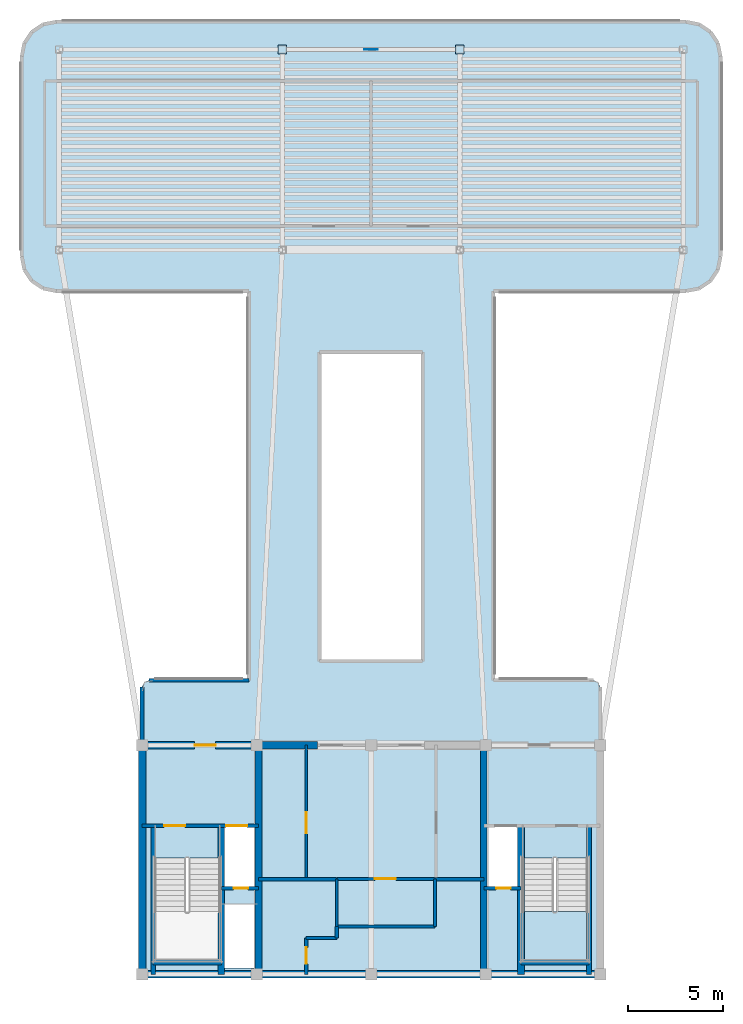
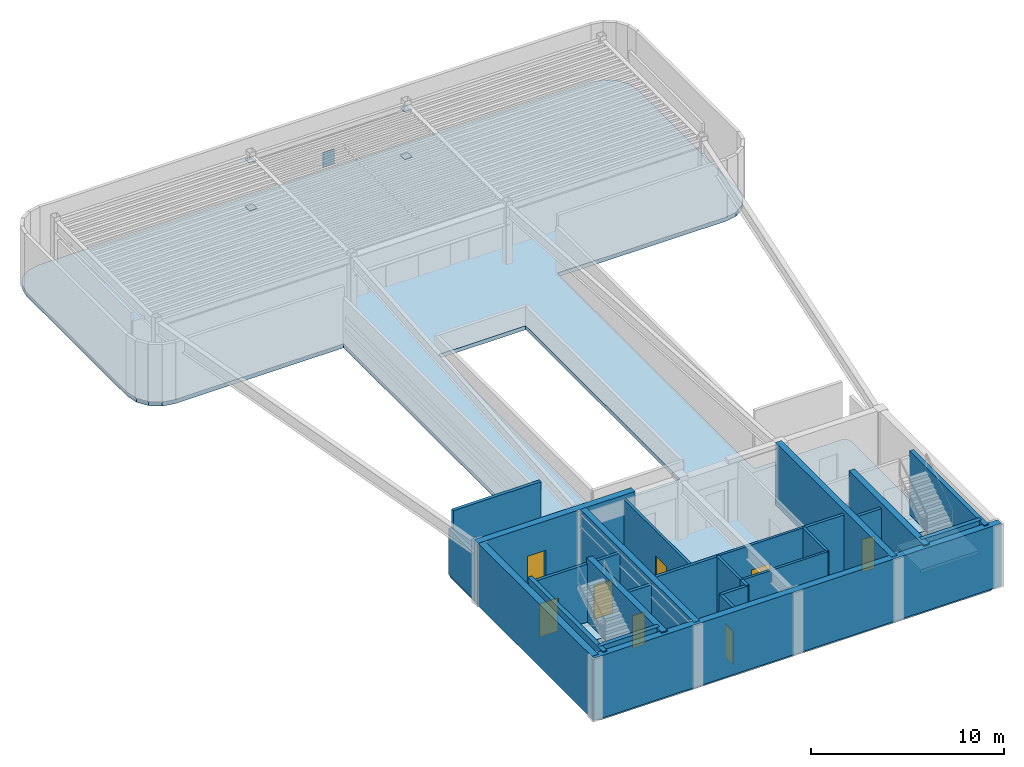
# One storey, part 2 of 6: 26 walls, 8 doors, 5 plates, 2 slabs, 8 openings, 1 element without a shape of its own.
"""IFC4 building model written with IfcOpenShell, lengths in metres."""

from ifc_helpers import new_model, si_unit, direction, frame, frame_2d, origin, origin_2d, place, context, subcontext, project, spatial, polyline, rectangle, outline, extrude, source, transform, mapped, material, layer, layer_set, type_object, element, fill, aggregate, save


model = new_model("IFC4")

# Units and contexts
model_context = context("Model", 3, precision=1e-05, world=origin(), true_north=direction((0.0, 1.0)))
body_context = subcontext(model_context, "Body", "Model", "MODEL_VIEW")
ifc_project = project(units=[si_unit("LENGTHUNIT", "METRE"), si_unit("AREAUNIT", "SQUARE_METRE"), si_unit("VOLUMEUNIT", "CUBIC_METRE"), si_unit("PLANEANGLEUNIT", "RADIAN"), si_unit("MASSUNIT", "GRAM", prefix="KILO")], contexts=[model_context])

# Site, building, storey
site_placement = place(None, origin())
site = spatial("IfcSite", under=ifc_project, at=site_placement, CompositionType="ELEMENT")
building_placement = place(site_placement, origin())
building = spatial("IfcBuilding", under=site, at=building_placement, Name="Brelvock Crest Care Tower", CompositionType="ELEMENT")
storey_placement = place(building_placement, frame((0.0, 0.0, 295.919921875)))
storey = spatial("IfcBuildingStorey", under=building, at=storey_placement, Name="L75", CompositionType="ELEMENT", Elevation=295.919921875)

# Slab
ifc_material_1 = material(Name="Concrete N50 (50 MPa)", Category="concrete")
ifc_layer_1 = layer(ifc_material_1, 0.25, Name="SLB-FL3")
ifc_layer_set_1 = layer_set([ifc_layer_1], Name="Concrete N50 (50 MPa)")
slab_type_1 = type_object("IfcSlabType", Name="SLB-FL3", PredefinedType="FLOOR", material=ifc_layer_set_1)
slab_1_placement = place(storey_placement, frame((0.0, 0.0, -0.25)))
element("IfcSlab", 1, at=slab_1_placement, inside=storey, type_object=slab_type_1, Name="L75 Main Structural Slab", PredefinedType="FLOOR", context=body_context, shape_type="SweptSolid", body=[
    extrude(outline(polyline([(42.39990234375, 21.39990234375), (42.39990234375, 41.800048828125), (52.5, 41.800048828125), (53.188720703125, 41.93701171875), (53.772705078125, 42.3271484375), (54.1630859375, 42.9111328125), (54.300048828125, 43.60009765625), (54.300048828125, 54.10009765625), (54.1630859375, 54.788818359375), (53.772705078125, 55.372802734375), (53.188720703125, 55.762939453125), (52.5, 55.89990234375), (19.5, 55.89990234375), (18.811279296875, 55.762939453125), (18.227294921875, 55.372802734375), (17.8369140625, 54.788818359375), (17.699951171875, 54.10009765625), (17.699951171875, 43.60009765625), (17.8369140625, 42.9111328125), (18.227294921875, 42.3271484375), (18.811279296875, 41.93701171875), (19.5, 41.800048828125), (29.60009765625, 41.800048828125), (29.60009765625, 21.39990234375), (24.35009765625, 21.39990234375), (24.1025390625, 21.297607421875), (24.0, 21.050048828125), (24.0, 6.35009765625), (24.1025390625, 6.1025390625), (24.35009765625, 6.0), (47.64990234375, 6.0), (47.8974609375, 6.1025390625), (48.0, 6.35009765625), (48.0, 21.050048828125), (47.8974609375, 21.297607421875), (47.64990234375, 21.39990234375), (42.39990234375, 21.39990234375)]), holes=[polyline([(28.239990234375, 10.580078125), (29.97998046875, 10.580078125), (29.97998046875, 13.739990234375), (28.239990234375, 13.739990234375), (28.239990234375, 10.580078125)]), polyline([(42.02001953125, 10.580078125), (43.760009765625, 10.580078125), (43.760009765625, 13.739990234375), (42.02001953125, 13.739990234375), (42.02001953125, 10.580078125)]), polyline([(28.239990234375, 6.340087890625), (29.97998046875, 6.340087890625), (29.97998046875, 9.64990234375), (28.239990234375, 9.64990234375), (28.239990234375, 6.340087890625)]), polyline([(24.6298828125, 12.080078125), (24.6298828125, 6.699951171875), (28.110107421875, 6.699951171875), (28.110107421875, 12.080078125), (24.6298828125, 12.080078125)]), polyline([(43.889892578125, 12.080078125), (43.889892578125, 6.699951171875), (47.3701171875, 6.699951171875), (47.3701171875, 12.080078125), (43.889892578125, 12.080078125)]), polyline([(33.39990234375, 22.5), (38.60009765625, 22.5), (38.60009765625, 38.5), (33.39990234375, 38.5), (33.39990234375, 22.5)])]), origin(), (0.0, 0.0, 1.0), 0.25),
])

# Stair, slab
ifc_material_2 = material(Name="Concrete N40 (40 MPa)", Category="concrete")
stair_type = type_object("IfcStairType", Name="ST-CORE1", PredefinedType="HALF_TURN_STAIR", material=ifc_material_2)
stair_placement = place(storey_placement, origin())
stair = element("IfcStair", 2, at=stair_placement, inside=storey, type_object=stair_type, Name="L75 Fire-Isolated Core Stair ST-2", PredefinedType="HALF_TURN_STAIR")
ifc_layer_2 = layer(ifc_material_2, 0.199951171875, Name="STL-1")
ifc_layer_set_2 = layer_set([ifc_layer_2], Name="Concrete N40 (40 MPa)")
slab_type_2 = type_object("IfcSlabType", Name="STL-1", PredefinedType="LANDING", material=ifc_layer_set_2)
slab_2_placement = place(storey_placement, frame((0.0, 0.0, 1.780029296875)))
slab_2 = element("IfcSlab", 3, at=slab_2_placement, type_object=slab_type_2, Name="ST-2 landing 1", PredefinedType="LANDING", context=body_context, shape_type="SweptSolid", body=[
    extrude(outline(polyline([(43.889892578125, 9.280029296875), (43.889892578125, 6.699951171875), (47.3701171875, 6.699951171875), (47.3701171875, 9.280029296875), (43.889892578125, 9.280029296875)])), origin(), (0.0, 0.0, 1.0), 0.199951171875),
])
aggregate(stair, [slab_2])

# Plates
ifc_material_3 = material(Name="Steel Grade 350", Category="steel")
plate_type_1 = type_object("IfcPlateType", Name="PLT-EC3", PredefinedType="USERDEFINED", material=ifc_material_3)
shared_shape_1 = source(origin(), body_context, "Body", "SweptSolid", [
    extrude(rectangle(XDim=0.449951171875, YDim=0.449951171875, at=origin_2d()), origin(), (0.0, 0.0, 1.0), 0.02490234375),
])
for number, where, z_axis, x_axis, name in (
    (4, (31.35009765625, 54.449951171875, 0.337646484375), (0.0, 0.0, 1.0), (1.0, 0.0, 0.0), "PLT-WPC1-L75"),
    (5, (40.64990234375, 54.449951171875, 0.337646484375), (0.0, 0.0, 1.0), (1.0, 0.0, 0.0), "PLT-WPC2-L75"),
    (6, (40.64990234375, 54.449951171875, 3.34765625), (0.0, 0.0, 1.0), (1.0, 0.0, 0.0), "PLT-WPC3-L75"),
    (7, (31.35009765625, 54.449951171875, 3.34765625), (0.0, 0.0, 1.0), (1.0, 0.0, 0.0), "PLT-WPC4-L75"),
):
    element("IfcPlate", number, at=place(storey_placement, frame(where, z_axis=z_axis, x_axis=x_axis)), inside=storey, type_object=plate_type_1, Name=name, ObjectType="FLANGE_PLATE", PredefinedType="USERDEFINED", context=body_context, shape_type="MappedRepresentation", body=[
        mapped(shared_shape_1, transform((0.0, 0.0, 0.0), x_axis=(1.0, 0.0, 0.0), y_axis=(0.0, 1.0, 0.0), z_axis=(0.0, 0.0, 1.0), scale=1.0)),
    ])
plate_type_2 = type_object("IfcPlateType", Name="PLT-WPN1", PredefinedType="USERDEFINED", material=ifc_material_3)
shared_shape_2 = source(origin(), body_context, "Body", "SweptSolid", [
    extrude(rectangle(XDim=0.699951171875, YDim=0.031982421875, at=origin_2d()), origin(), (0.0, 0.0, 1.0), 0.949951171875),
])
plate_placement = place(storey_placement, frame((36.0, 54.449951171875, 1.3798828125), z_axis=(0.0, 0.0, 1.0), x_axis=(1.0, 0.0, 0.0)))
element("IfcPlate", 8, at=plate_placement, inside=storey, type_object=plate_type_2, Name="PLT-WPN-L75", ObjectType="GUSSET", PredefinedType="USERDEFINED", context=body_context, shape_type="MappedRepresentation", body=[
    mapped(shared_shape_2, transform((0.0, 0.0, 0.0), x_axis=(1.0, 0.0, 0.0), y_axis=(0.0, 1.0, 0.0), z_axis=(0.0, 0.0, 1.0), scale=1.0)),
])

# Walls
ifc_material_4 = material(Name="Concrete S65 (65 MPa)", Category="concrete")
ifc_layer_3 = layer(ifc_material_4, 0.39990234375, Name="WL-CS4")
ifc_layer_set_3 = layer_set([ifc_layer_3], Name="Concrete S65 (65 MPa)")
wall_type_1 = type_object("IfcWallType", Name="WL-CS4", PredefinedType="SHEAR", material=ifc_layer_set_3)
wall_1_placement = place(storey_placement, frame((48.199951171875, 6.0, 0.0), z_axis=(0.0, 0.0, 1.0), x_axis=(-1.0, 0.0, 0.0)))
element("IfcWall", 9, at=wall_1_placement, inside=storey, type_object=wall_type_1, Name="L75 Core South Shear Wall", PredefinedType="SHEAR", context=body_context, shape_type="SweptSolid", body=[
    extrude(rectangle(XDim=24.39990234375, YDim=0.39990234375, at=frame_2d((12.199951171875, 0.0))), origin(), (0.0, 0.0, 1.0), 3.9599609375),
])
wall_2_placement = place(storey_placement, frame((24.0, 6.0, 0.0), z_axis=(0.0, 0.0, 1.0), x_axis=(0.0, 1.0, 0.0)))
element("IfcWall", 10, at=wall_2_placement, inside=storey, type_object=wall_type_1, Name="L75 Core West Shear Wall", PredefinedType="SHEAR", context=body_context, shape_type="SweptSolid", body=[
    extrude(rectangle(XDim=12.0, YDim=0.39990234375, at=frame_2d((6.0, 0.0))), origin(), (0.0, 0.0, 1.0), 3.9599609375),
])

# Wall, opening, door
wall_3_placement = place(storey_placement, frame((23.800048828125, 18.0, 0.0), z_axis=(0.0, 0.0, 1.0), x_axis=(1.0, 0.0, 0.0)))
wall_3 = element("IfcWall", 11, at=wall_3_placement, inside=storey, type_object=wall_type_1, Name="L75 Core North-West Shear Wall", PredefinedType="SHEAR", context=body_context, shape_type="SweptSolid", body=[
    extrude(rectangle(XDim=9.39990234375, YDim=0.39990234375, at=frame_2d((4.699951171875, 0.0))), origin(), (0.0, 0.0, 1.0), 3.9599609375),
])
opening_1_placement = place(wall_3_placement, frame((2.949951171875, 0.0, 0.0)))
opening_1 = element("IfcOpeningElement", 12, at=opening_1_placement, cuts=wall_3, Name="Opening FD-1", PredefinedType="OPENING", context=body_context, shape_type="SweptSolid", body=[
    extrude(rectangle(XDim=1.10009765625, YDim=2.10009765625, at=origin_2d()), frame((0.550048828125, 0.2099609375, 1.050048828125), z_axis=(0.0, -1.0, 0.0), x_axis=(1.0, 0.0, 0.0)), (0.0, 0.0, 1.0), 0.419921875),
])
door_type_1 = type_object("IfcDoorType", Name="DR-FFL1", OperationType="NOTDEFINED", PredefinedType="DOOR", material=ifc_material_3)
shared_shape_3 = source(origin(), body_context, "Body", "SweptSolid", [
    extrude(rectangle(XDim=1.10009765625, YDim=2.10009765625, at=origin_2d()), frame((0.550048828125, 0.02490234375, 1.050048828125), z_axis=(0.0, -1.0, 0.0), x_axis=(1.0, 0.0, 0.0)), (0.0, 0.0, 1.0), 0.050048828125),
])
door_1_placement = place(opening_1_placement, origin())
door_1 = element("IfcDoor", 13, at=door_1_placement, inside=storey, type_object=door_type_1, Name="L75 Firefighting Lobby FFL-1 Exit Door", OperationType="SINGLE_SWING_LEFT", OverallHeight=2.10009765625, OverallWidth=1.10009765625, PredefinedType="DOOR", context=body_context, shape_type="MappedRepresentation", body=[
    mapped(shared_shape_3, transform((0.0, 0.0, 0.0), x_axis=(1.0, 0.0, 0.0), y_axis=(0.0, 1.0, 0.0), z_axis=(0.0, 0.0, 1.0), scale=1.0)),
])
fill(opening_1, door_1)

# Walls
ifc_material_5 = material(Name="Concrete S80 (80 MPa)", Category="concrete")
ifc_layer_4 = layer(ifc_material_5, 0.35009765625, Name="WL-CS5")
ifc_layer_set_4 = layer_set([ifc_layer_4], Name="Concrete S80 (80 MPa)")
wall_type_2 = type_object("IfcWallType", Name="WL-CS5", PredefinedType="SHEAR", material=ifc_layer_set_4)
for number, where, z_axis, x_axis, name in (
    (14, (30.10009765625, 6.0, 0.0), (0.0, 0.0, 1.0), (0.0, 1.0, 0.0), "L75 Core Internal Web Wall West"),
    (15, (41.89990234375, 18.0, 0.0), (0.0, 0.0, 1.0), (0.0, -1.0, 0.0), "L75 Core Internal Web Wall East"),
):
    element("IfcWall", number, at=place(storey_placement, frame(where, z_axis=z_axis, x_axis=x_axis)), inside=storey, type_object=wall_type_2, Name=name, PredefinedType="SHEAR", context=body_context, shape_type="SweptSolid", body=[
        extrude(rectangle(XDim=12.0, YDim=0.35009765625, at=frame_2d((6.0, 0.0))), origin(), (0.0, 0.0, 1.0), 3.9599609375),
    ])
for number, where, z_axis, x_axis, name in (
    (16, (28.14990234375, 6.0, 0.0), (0.0, 0.0, 1.0), (0.0, 1.0, 0.0), "L75 Core Stair ST-1 East Shear Wall"),
    (17, (43.85009765625, 6.0, 0.0), (0.0, 0.0, 1.0), (0.0, 1.0, 0.0), "L75 Core Stair ST-2 West Shear Wall"),
):
    element("IfcWall", number, at=place(storey_placement, frame(where, z_axis=z_axis, x_axis=x_axis)), inside=storey, type_object=wall_type_2, Name=name, PredefinedType="SHEAR", context=body_context, shape_type="SweptSolid", body=[
        extrude(rectangle(XDim=7.780029296875, YDim=0.35009765625, at=frame_2d((3.89013671875, 0.0))), origin(), (0.0, 0.0, 1.0), 4.030029296875),
    ])
ifc_layer_5 = layer(ifc_material_5, 0.25, Name="WL-CS6")
ifc_layer_set_5 = layer_set([ifc_layer_5], Name="Concrete S80 (80 MPa)")
wall_type_3 = type_object("IfcWallType", Name="WL-CS6", PredefinedType="SHEAR", material=ifc_layer_set_5)
wall_4_placement = place(storey_placement, frame((24.580078125, 6.0, 0.0), z_axis=(0.0, 0.0, 1.0), x_axis=(0.0, 1.0, 0.0)))
element("IfcWall", 18, at=wall_4_placement, inside=storey, type_object=wall_type_3, Name="L75 Core Stair ST-1 West Shear Wall", PredefinedType="SHEAR", context=body_context, shape_type="SweptSolid", body=[
    extrude(rectangle(XDim=7.780029296875, YDim=0.25, at=frame_2d((3.89013671875, 0.0))), origin(), (0.0, 0.0, 1.0), 4.030029296875),
])
wall_5_placement = place(storey_placement, frame((24.580078125, 6.6201171875, 0.0), z_axis=(0.0, 0.0, 1.0), x_axis=(1.0, 0.0, 0.0)))
element("IfcWall", 19, at=wall_5_placement, inside=storey, type_object=wall_type_3, Name="L75 Core Stair ST-1 South Shear Wall", PredefinedType="SHEAR", context=body_context, shape_type="SweptSolid", body=[
    extrude(rectangle(XDim=3.56982421875, YDim=0.25, at=frame_2d((1.784912109375, 0.0))), origin(), (0.0, 0.0, 1.0), 4.030029296875),
])
wall_6_placement = place(storey_placement, frame((47.419921875, 6.0, 0.0), z_axis=(0.0, 0.0, 1.0), x_axis=(0.0, 1.0, 0.0)))
element("IfcWall", 20, at=wall_6_placement, inside=storey, type_object=wall_type_3, Name="L75 Core Stair ST-2 East Shear Wall", PredefinedType="SHEAR", context=body_context, shape_type="SweptSolid", body=[
    extrude(rectangle(XDim=7.780029296875, YDim=0.25, at=frame_2d((3.89013671875, 0.0))), origin(), (0.0, 0.0, 1.0), 4.030029296875),
])
wall_7_placement = place(storey_placement, frame((43.85009765625, 6.6201171875, 0.0), z_axis=(0.0, 0.0, 1.0), x_axis=(1.0, 0.0, 0.0)))
element("IfcWall", 21, at=wall_7_placement, inside=storey, type_object=wall_type_3, Name="L75 Core Stair ST-2 South Shear Wall", PredefinedType="SHEAR", context=body_context, shape_type="SweptSolid", body=[
    extrude(rectangle(XDim=3.56982421875, YDim=0.25, at=frame_2d((1.784912109375, 0.0))), origin(), (0.0, 0.0, 1.0), 4.030029296875),
])
ifc_material_6 = material(Name="Precast concrete N40 (40 MPa)", Category="concrete")
ifc_layer_6 = layer(ifc_material_6, 0.195068359375, Name="WL-EX3")
ifc_layer_set_6 = layer_set([ifc_layer_6], Name="Precast concrete N40 (40 MPa)")
wall_type_4 = type_object("IfcWallType", Name="WL-EX3", PredefinedType="SOLIDWALL", material=ifc_layer_set_6)
wall_8_placement = place(storey_placement, frame((24.0, 18.280029296875, 0.0), z_axis=(0.0, 0.0, 1.0), x_axis=(0.0, 1.0, 0.0)))
element("IfcWall", 22, at=wall_8_placement, inside=storey, type_object=wall_type_4, Name="L75 Crown and Plant Cladding Wall 08", PredefinedType="SOLIDWALL", context=body_context, shape_type="SweptSolid", body=[
    extrude(rectangle(XDim=2.77001953125, YDim=0.195068359375, at=frame_2d((1.385009765625, 0.0))), origin(), (0.0, 0.0, 1.0), 2.898193359375),
])
wall_9_placement = place(storey_placement, frame((24.35009765625, 21.39990234375, 0.0), z_axis=(0.0, 0.0, 1.0), x_axis=(1.0, 0.0, 0.0)))
element("IfcWall", 23, at=wall_9_placement, inside=storey, type_object=wall_type_4, Name="L75 Crown and Plant Cladding Wall 11", PredefinedType="SOLIDWALL", context=body_context, shape_type="SweptSolid", body=[
    extrude(rectangle(XDim=5.25, YDim=0.195068359375, at=frame_2d((2.625, 0.0))), origin(), (0.0, 0.0, 1.0), 3.7099609375),
])

# Wall, opening, door
ifc_material_7 = material(Name="Masonry Blockwork Acoustic Partition", Category="masonry")
ifc_layer_7 = layer(ifc_material_7, 0.14990234375, Name="WL-INT1")
ifc_layer_set_7 = layer_set([ifc_layer_7], Name="Masonry Blockwork Acoustic Partition")
wall_type_5 = type_object("IfcWallType", Name="WL-INT1", PredefinedType="PARTITIONING", material=ifc_layer_set_7)
wall_10_placement = place(storey_placement, frame((32.60009765625, 11.0, 0.0), z_axis=(0.0, 0.0, 1.0), x_axis=(0.0, 1.0, 0.0)))
wall_10 = element("IfcWall", 24, at=wall_10_placement, inside=storey, type_object=wall_type_5, Name="L75 Interior Wall WL-CRCL-E-L75", PredefinedType="PARTITIONING", context=body_context, shape_type="SweptSolid", body=[
    extrude(rectangle(XDim=7.0, YDim=0.14990234375, at=frame_2d((3.5, 0.0))), origin(), (0.0, 0.0, 1.0), 3.68017578125),
])
opening_2_placement = place(wall_10_placement, frame((2.39990234375, 0.0, 0.0)))
opening_2 = element("IfcOpeningElement", 25, at=opening_2_placement, cuts=wall_10, Name="Opening PD-1", PredefinedType="OPENING", context=body_context, shape_type="SweptSolid", body=[
    extrude(rectangle(XDim=1.10009765625, YDim=2.10009765625, at=origin_2d()), frame((0.550048828125, 0.0849609375, 1.050048828125), z_axis=(0.0, -1.0, 0.0), x_axis=(1.0, 0.0, 0.0)), (0.0, 0.0, 1.0), 0.169921875),
])
door_type_2 = type_object("IfcDoorType", Name="DR-PLT1", OperationType="NOTDEFINED", PredefinedType="DOOR", material=ifc_material_3)
shared_shape_4 = source(origin(), body_context, "Body", "SweptSolid", [
    extrude(rectangle(XDim=1.10009765625, YDim=2.10009765625, at=origin_2d()), frame((0.550048828125, 0.02490234375, 1.050048828125), z_axis=(0.0, -1.0, 0.0), x_axis=(1.0, 0.0, 0.0)), (0.0, 0.0, 1.0), 0.050048828125),
])
door_2_placement = place(opening_2_placement, origin())
door_2 = element("IfcDoor", 26, at=door_2_placement, inside=storey, type_object=door_type_2, Name="DR-CRCL1-L75", OperationType="SINGLE_SWING_LEFT", OverallHeight=2.10009765625, OverallWidth=1.10009765625, PredefinedType="DOOR", context=body_context, shape_type="MappedRepresentation", body=[
    mapped(shared_shape_4, transform((0.0, 0.0, 0.0), x_axis=(1.0, 0.0, 0.0), y_axis=(0.0, 1.0, 0.0), z_axis=(0.0, 0.0, 1.0), scale=1.0)),
])
fill(opening_2, door_2)

# Walls
wall_11_placement = place(storey_placement, frame((34.199951171875, 8.5, 0.0), z_axis=(0.0, 0.0, 1.0), x_axis=(1.0, 0.0, 0.0)))
element("IfcWall", 27, at=wall_11_placement, inside=storey, type_object=wall_type_5, Name="L75 Interior Wall WL-CRCM-S-L75", PredefinedType="PARTITIONING", context=body_context, shape_type="SweptSolid", body=[
    extrude(rectangle(XDim=5.150146484375, YDim=0.14990234375, at=frame_2d((2.5751953125, 0.0))), origin(), (0.0, 0.0, 1.0), 3.68017578125),
])
for number, where, z_axis, x_axis, name in (
    (28, (34.199951171875, 8.5, 0.0), (0.0, 0.0, 1.0), (0.0, 1.0, 0.0), "L75 Interior Wall WL-CRCM-W-L75"),
    (29, (39.35009765625, 8.5, 0.0), (0.0, 0.0, 1.0), (0.0, 1.0, 0.0), "L75 Interior Wall WL-CRCM-E-L75"),
):
    element("IfcWall", number, at=place(storey_placement, frame(where, z_axis=z_axis, x_axis=x_axis)), inside=storey, type_object=wall_type_5, Name=name, PredefinedType="PARTITIONING", context=body_context, shape_type="SweptSolid", body=[
        extrude(rectangle(XDim=2.5, YDim=0.14990234375, at=frame_2d((1.25, 0.0))), origin(), (0.0, 0.0, 1.0), 3.68017578125),
    ])

# Wall, opening, door
wall_12_placement = place(storey_placement, frame((34.199951171875, 11.0, 0.0), z_axis=(0.0, 0.0, 1.0), x_axis=(1.0, 0.0, 0.0)))
wall_12 = element("IfcWall", 30, at=wall_12_placement, inside=storey, type_object=wall_type_5, Name="L75 Interior Wall WL-CRCM-N-L75", PredefinedType="PARTITIONING", context=body_context, shape_type="SweptSolid", body=[
    extrude(rectangle(XDim=5.150146484375, YDim=0.14990234375, at=frame_2d((2.5751953125, 0.0))), origin(), (0.0, 0.0, 1.0), 3.68017578125),
])
opening_3_placement = place(wall_12_placement, frame((2.0, 0.0, 0.0)))
opening_3 = element("IfcOpeningElement", 31, at=opening_3_placement, cuts=wall_12, Name="Opening PD-1", PredefinedType="OPENING", context=body_context, shape_type="SweptSolid", body=[
    extrude(rectangle(XDim=1.10009765625, YDim=2.10009765625, at=origin_2d()), frame((0.550048828125, 0.0849609375, 1.050048828125), z_axis=(0.0, -1.0, 0.0), x_axis=(1.0, 0.0, 0.0)), (0.0, 0.0, 1.0), 0.169921875),
])
door_3_placement = place(opening_3_placement, origin())
door_3 = element("IfcDoor", 32, at=door_3_placement, inside=storey, type_object=door_type_2, Name="DR-CRCM1-L75", OperationType="SINGLE_SWING_LEFT", OverallHeight=2.10009765625, OverallWidth=1.10009765625, PredefinedType="DOOR", context=body_context, shape_type="MappedRepresentation", body=[
    mapped(shared_shape_4, transform((0.0, 0.0, 0.0), x_axis=(1.0, 0.0, 0.0), y_axis=(0.0, 1.0, 0.0), z_axis=(0.0, 0.0, 1.0), scale=1.0)),
])
fill(opening_3, door_3)

# Walls
ifc_layer_8 = layer(ifc_material_7, 0.179931640625, Name="WL-SHF1")
ifc_layer_set_8 = layer_set([ifc_layer_8], Name="Masonry Blockwork Acoustic Partition")
wall_type_6 = type_object("IfcWallType", Name="WL-SHF1", PredefinedType="PARTITIONING", material=ifc_layer_set_8)
wall_13_placement = place(storey_placement, frame((30.10009765625, 10.97998046875, 0.0), z_axis=(0.0, 0.0, 1.0), x_axis=(1.0, 0.0, 0.0)))
element("IfcWall", 33, at=wall_13_placement, inside=storey, type_object=wall_type_6, Name="L75 Interior Wall WL-CSBW-N-L75", PredefinedType="PARTITIONING", context=body_context, shape_type="SweptSolid", body=[
    extrude(rectangle(XDim=4.079833984375, YDim=0.179931640625, at=frame_2d((2.0400390625, 0.0))), origin(), (0.0, 0.0, 1.0), 3.68017578125),
])
wall_14_placement = place(storey_placement, frame((34.199951171875, 7.89990234375, 0.0), z_axis=(0.0, 0.0, 1.0), x_axis=(0.0, 1.0, 0.0)))
element("IfcWall", 34, at=wall_14_placement, inside=storey, type_object=wall_type_6, Name="L75 Interior Wall WL-CSBW-E2-L75", PredefinedType="PARTITIONING", context=body_context, shape_type="SweptSolid", body=[
    extrude(rectangle(XDim=0.60009765625, YDim=0.179931640625, at=frame_2d((0.300048828125, 0.0))), origin(), (0.0, 0.0, 1.0), 3.68017578125),
])
wall_15_placement = place(storey_placement, frame((32.60009765625, 7.89990234375, 0.0), z_axis=(0.0, 0.0, 1.0), x_axis=(1.0, 0.0, 0.0)))
element("IfcWall", 35, at=wall_15_placement, inside=storey, type_object=wall_type_6, Name="L75 Interior Wall WL-CSBW-S2-L75", PredefinedType="PARTITIONING", context=body_context, shape_type="SweptSolid", body=[
    extrude(rectangle(XDim=1.599853515625, YDim=0.179931640625, at=frame_2d((0.7998046875, 0.0))), origin(), (0.0, 0.0, 1.0), 3.68017578125),
])

# Wall, opening, door
wall_16_placement = place(storey_placement, frame((32.60009765625, 6.0, 0.0), z_axis=(0.0, 0.0, 1.0), x_axis=(0.0, 1.0, 0.0)))
wall_16 = element("IfcWall", 36, at=wall_16_placement, inside=storey, type_object=wall_type_6, Name="L75 Interior Wall WL-CSBW-E1-L75", PredefinedType="PARTITIONING", context=body_context, shape_type="SweptSolid", body=[
    extrude(rectangle(XDim=1.89990234375, YDim=0.179931640625, at=frame_2d((0.949951171875, 0.0))), origin(), (0.0, 0.0, 1.0), 3.68017578125),
])
opening_4_placement = place(wall_16_placement, frame((0.550048828125, 0.0, 0.0)))
opening_4 = element("IfcOpeningElement", 37, at=opening_4_placement, cuts=wall_16, Name="Opening ID-1", PredefinedType="OPENING", context=body_context, shape_type="SweptSolid", body=[
    extrude(rectangle(XDim=0.860107421875, YDim=2.10009765625, at=origin_2d()), frame((0.43017578125, 0.10009765625, 1.050048828125), z_axis=(0.0, -1.0, 0.0), x_axis=(1.0, 0.0, 0.0)), (0.0, 0.0, 1.0), 0.199951171875),
])
ifc_material_8 = material(Name="Engineered Hardwood Timber", Category="wood")
door_type_3 = type_object("IfcDoorType", Name="DR-INT1", OperationType="NOTDEFINED", PredefinedType="DOOR", material=ifc_material_8)
shared_shape_5 = source(origin(), body_context, "Body", "SweptSolid", [
    extrude(rectangle(XDim=0.860107421875, YDim=2.10009765625, at=origin_2d()), frame((0.43017578125, 0.02490234375, 1.050048828125), z_axis=(0.0, -1.0, 0.0), x_axis=(1.0, 0.0, 0.0)), (0.0, 0.0, 1.0), 0.050048828125),
])
door_4_placement = place(opening_4_placement, origin())
door_4 = element("IfcDoor", 38, at=door_4_placement, inside=storey, type_object=door_type_3, Name="DR-CSBW-L75", OperationType="SINGLE_SWING_LEFT", OverallHeight=2.10009765625, OverallWidth=0.860107421875, PredefinedType="DOOR", context=body_context, shape_type="MappedRepresentation", body=[
    mapped(shared_shape_5, transform((0.0, 0.0, 0.0), x_axis=(1.0, 0.0, 0.0), y_axis=(0.0, 1.0, 0.0), z_axis=(0.0, 0.0, 1.0), scale=1.0)),
])
fill(opening_4, door_4)

# Wall
wall_17_placement = place(storey_placement, frame((39.35009765625, 10.97998046875, 0.0), z_axis=(0.0, 0.0, 1.0), x_axis=(1.0, 0.0, 0.0)))
element("IfcWall", 39, at=wall_17_placement, inside=storey, type_object=wall_type_6, Name="L75 Interior Wall WL-CSBE-N-L75", PredefinedType="PARTITIONING", context=body_context, shape_type="SweptSolid", body=[
    extrude(rectangle(XDim=2.5498046875, YDim=0.179931640625, at=frame_2d((1.27490234375, 0.0))), origin(), (0.0, 0.0, 1.0), 3.68017578125),
])

# Wall, openings, doors
wall_18_placement = place(storey_placement, frame((24.0, 13.780029296875, 0.0), z_axis=(0.0, 0.0, 1.0), x_axis=(1.0, 0.0, 0.0)))
wall_18 = element("IfcWall", 40, at=wall_18_placement, inside=storey, type_object=wall_type_6, Name="L75 Interior Wall WL-ST1-N-L75", PredefinedType="PARTITIONING", context=body_context, shape_type="SweptSolid", body=[
    extrude(rectangle(XDim=6.10009765625, YDim=0.179931640625, at=frame_2d((3.050048828125, 0.0))), origin(), (0.0, 0.0, 1.0), 3.68017578125),
])
opening_5_placement = place(wall_18_placement, frame((1.14990234375, 0.0, 0.0)))
opening_5 = element("IfcOpeningElement", 41, at=opening_5_placement, cuts=wall_18, Name="Opening SD-1", PredefinedType="OPENING", context=body_context, shape_type="SweptSolid", body=[
    extrude(rectangle(XDim=1.10009765625, YDim=2.10009765625, at=origin_2d()), frame((0.550048828125, 0.10009765625, 1.050048828125), z_axis=(0.0, -1.0, 0.0), x_axis=(1.0, 0.0, 0.0)), (0.0, 0.0, 1.0), 0.199951171875),
])
opening_6_placement = place(wall_18_placement, frame((4.39990234375, 0.0, 0.0)))
opening_6 = element("IfcOpeningElement", 42, at=opening_6_placement, cuts=wall_18, Name="Opening LD", PredefinedType="OPENING", context=body_context, shape_type="SweptSolid", body=[
    extrude(rectangle(XDim=1.10009765625, YDim=2.10009765625, at=origin_2d()), frame((0.550048828125, 0.10009765625, 1.050048828125), z_axis=(0.0, -1.0, 0.0), x_axis=(1.0, 0.0, 0.0)), (0.0, 0.0, 1.0), 0.199951171875),
])
door_type_4 = type_object("IfcDoorType", Name="DR-ST1", OperationType="NOTDEFINED", PredefinedType="DOOR", material=ifc_material_3)
shared_shape_6 = source(origin(), body_context, "Body", "SweptSolid", [
    extrude(rectangle(XDim=1.10009765625, YDim=2.10009765625, at=origin_2d()), frame((0.550048828125, 0.02490234375, 1.050048828125), z_axis=(0.0, -1.0, 0.0), x_axis=(1.0, 0.0, 0.0)), (0.0, 0.0, 1.0), 0.050048828125),
])
door_5_placement = place(opening_5_placement, origin())
door_5 = element("IfcDoor", 43, at=door_5_placement, inside=storey, type_object=door_type_4, Name="L75 Fire Stair ST-1 Door", OperationType="SINGLE_SWING_LEFT", OverallHeight=2.10009765625, OverallWidth=1.10009765625, PredefinedType="DOOR", context=body_context, shape_type="MappedRepresentation", body=[
    mapped(shared_shape_6, transform((0.0, 0.0, 0.0), x_axis=(1.0, 0.0, 0.0), y_axis=(0.0, 1.0, 0.0), z_axis=(0.0, 0.0, 1.0), scale=1.0)),
])
fill(opening_5, door_5)
door_type_5 = type_object("IfcDoorType", Name="DR-LD1", OperationType="NOTDEFINED", PredefinedType="DOOR", material=ifc_material_3)
shared_shape_7 = source(origin(), body_context, "Body", "SweptSolid", [
    extrude(rectangle(XDim=1.10009765625, YDim=2.10009765625, at=origin_2d()), frame((0.550048828125, 0.02490234375, 1.050048828125), z_axis=(0.0, -1.0, 0.0), x_axis=(1.0, 0.0, 0.0)), (0.0, 0.0, 1.0), 0.050048828125),
])
door_6_placement = place(opening_6_placement, origin())
door_6 = element("IfcDoor", 44, at=door_6_placement, inside=storey, type_object=door_type_5, Name="L75 Firefighting Lift FFL-1 Landing Door", OperationType="SLIDING_TO_LEFT", OverallHeight=2.10009765625, OverallWidth=1.10009765625, PredefinedType="DOOR", context=body_context, shape_type="MappedRepresentation", body=[
    mapped(shared_shape_7, transform((0.0, 0.0, 0.0), x_axis=(1.0, 0.0, 0.0), y_axis=(0.0, 1.0, 0.0), z_axis=(0.0, 0.0, 1.0), scale=1.0)),
])
fill(opening_6, door_6)

# Wall, opening, door
wall_19_placement = place(storey_placement, frame((28.14990234375, 10.5, 0.0), z_axis=(0.0, 0.0, 1.0), x_axis=(1.0, 0.0, 0.0)))
wall_19 = element("IfcWall", 45, at=wall_19_placement, inside=storey, type_object=wall_type_6, Name="L75 Interior Wall WL-FFH1-S-L75", PredefinedType="PARTITIONING", context=body_context, shape_type="SweptSolid", body=[
    extrude(rectangle(XDim=1.9501953125, YDim=0.179931640625, at=frame_2d((0.97509765625, 0.0))), origin(), (0.0, 0.0, 1.0), 3.68017578125),
])
opening_7_placement = place(wall_19_placement, frame((0.64990234375, 0.0, 0.0)))
opening_7 = element("IfcOpeningElement", 46, at=opening_7_placement, cuts=wall_19, Name="Opening RD-1", PredefinedType="OPENING", context=body_context, shape_type="SweptSolid", body=[
    extrude(rectangle(XDim=0.760009765625, YDim=2.050048828125, at=origin_2d()), frame((0.3798828125, 0.10009765625, 1.02490234375), z_axis=(0.0, -1.0, 0.0), x_axis=(1.0, 0.0, 0.0)), (0.0, 0.0, 1.0), 0.199951171875),
])
door_type_6 = type_object("IfcDoorType", Name="DR-RIS1", OperationType="NOTDEFINED", PredefinedType="DOOR", material=ifc_material_3)
shared_shape_8 = source(origin(), body_context, "Body", "SweptSolid", [
    extrude(rectangle(XDim=0.760009765625, YDim=2.050048828125, at=origin_2d()), frame((0.3798828125, 0.02490234375, 1.02490234375), z_axis=(0.0, -1.0, 0.0), x_axis=(1.0, 0.0, 0.0)), (0.0, 0.0, 1.0), 0.050048828125),
])
door_7_placement = place(opening_7_placement, origin())
door_7 = element("IfcDoor", 47, at=door_7_placement, inside=storey, type_object=door_type_6, Name="L75 Wet Fire Riser Access Door", OperationType="SINGLE_SWING_LEFT", OverallHeight=2.050048828125, OverallWidth=0.760009765625, PredefinedType="DOOR", context=body_context, shape_type="MappedRepresentation", body=[
    mapped(shared_shape_8, transform((0.0, 0.0, 0.0), x_axis=(1.0, 0.0, 0.0), y_axis=(0.0, 1.0, 0.0), z_axis=(0.0, 0.0, 1.0), scale=1.0)),
])
fill(opening_7, door_7)

wall_20_placement = place(storey_placement, frame((41.89990234375, 10.5, 0.0), z_axis=(0.0, 0.0, 1.0), x_axis=(1.0, 0.0, 0.0)))
wall_20 = element("IfcWall", 48, at=wall_20_placement, inside=storey, type_object=wall_type_6, Name="L75 Interior Wall WL-FFH2-S-L75", PredefinedType="PARTITIONING", context=body_context, shape_type="SweptSolid", body=[
    extrude(rectangle(XDim=1.9501953125, YDim=0.179931640625, at=frame_2d((0.97509765625, 0.0))), origin(), (0.0, 0.0, 1.0), 3.68017578125),
])
opening_8_placement = place(wall_20_placement, frame((0.64990234375, 0.0, 0.0)))
opening_8 = element("IfcOpeningElement", 49, at=opening_8_placement, cuts=wall_20, Name="Opening RD-1", PredefinedType="OPENING", context=body_context, shape_type="SweptSolid", body=[
    extrude(rectangle(XDim=0.760009765625, YDim=2.050048828125, at=origin_2d()), frame((0.3798828125, 0.10009765625, 1.02490234375), z_axis=(0.0, -1.0, 0.0), x_axis=(1.0, 0.0, 0.0)), (0.0, 0.0, 1.0), 0.199951171875),
])
door_8_placement = place(opening_8_placement, origin())
door_8 = element("IfcDoor", 50, at=door_8_placement, inside=storey, type_object=door_type_6, Name="L75 East Riser Access Door", OperationType="SINGLE_SWING_RIGHT", OverallHeight=2.050048828125, OverallWidth=0.760009765625, PredefinedType="DOOR", context=body_context, shape_type="MappedRepresentation", body=[
    mapped(shared_shape_8, transform((0.0, 0.0, 0.0), x_axis=(1.0, 0.0, 0.0), y_axis=(0.0, 1.0, 0.0), z_axis=(0.0, 0.0, 1.0), scale=1.0)),
])
fill(opening_8, door_8)

save(model, "model.ifc")
